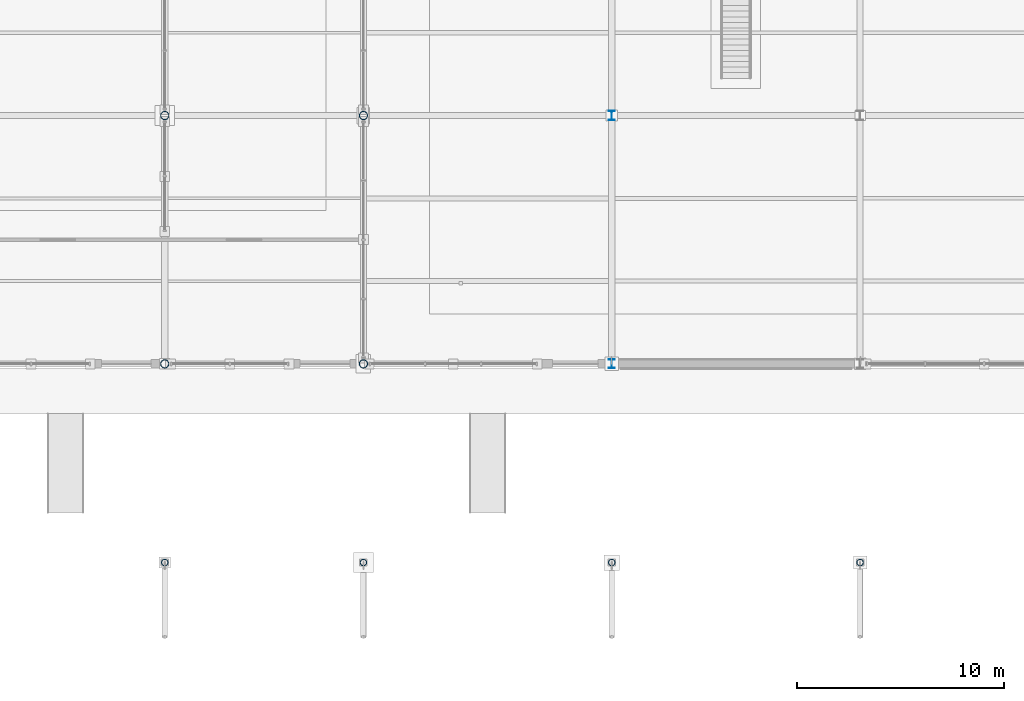
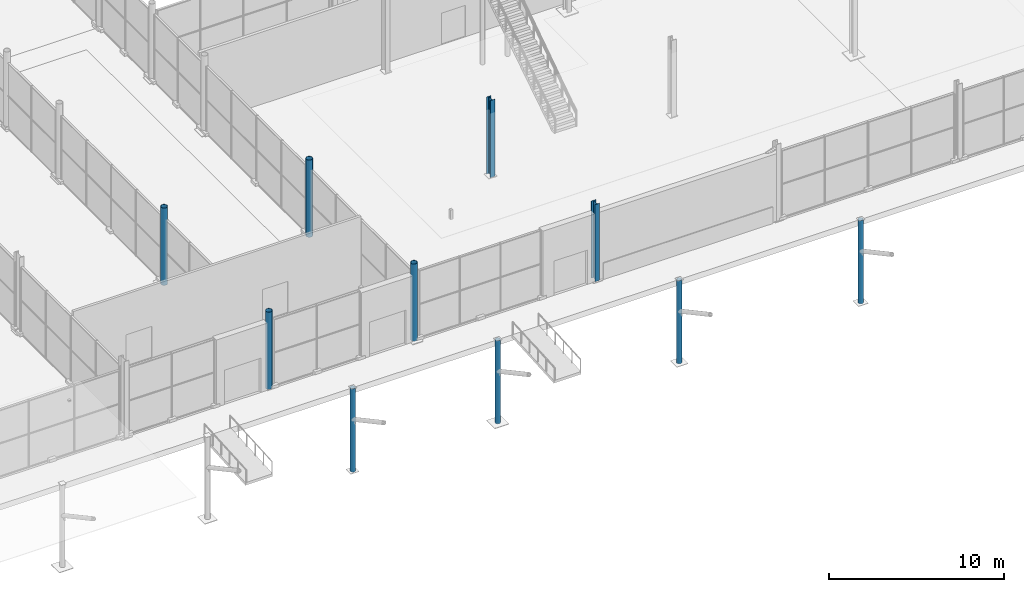
# One storey, part 5 of 196: 10 columns.
"""IFC4 building model written with IfcOpenShell, lengths in metres."""

from ifc_helpers import new_model, si_unit, direction, frame, origin, origin_2d, place, context, subcontext, project, spatial, hollow_circle, i_section, extrude, material, material_profile, profile_set, type_object, element, save


model = new_model("IFC4")

# Units and contexts
model_context = context("Model", 3, precision=1e-05, world=origin(), true_north=direction((0.0, 1.0)))
body_context = subcontext(model_context, "Body", "Model", "MODEL_VIEW")
ifc_project = project(units=[si_unit("LENGTHUNIT", "METRE"), si_unit("AREAUNIT", "SQUARE_METRE"), si_unit("VOLUMEUNIT", "CUBIC_METRE"), si_unit("PLANEANGLEUNIT", "RADIAN"), si_unit("MASSUNIT", "GRAM", prefix="KILO")], contexts=[model_context])

# Site, building, storey
site_placement = place(None, origin())
site = spatial("IfcSite", under=ifc_project, at=site_placement, CompositionType="ELEMENT")
building_placement = place(site_placement, origin())
building = spatial("IfcBuilding", under=site, at=building_placement, Name="Merenkruunu Market Hall", CompositionType="ELEMENT")
storey_placement = place(building_placement, origin())
storey = spatial("IfcBuildingStorey", under=building, at=storey_placement, Name="L00", CompositionType="ELEMENT", Elevation=0.0)

# Columns
ifc_material_1 = material(Name="Steel S355J2", Category="steel")
ifc_material_profile_1 = material_profile(ifc_material_1, i_section(OverallWidth=0.300048828125, OverallDepth=0.43994140625, WebThickness=0.011474609375, FlangeThickness=0.02099609375, FilletRadius=0.027099609375, at=origin_2d()), Name="HEA 450")
ifc_profile_set_1 = profile_set([ifc_material_profile_1], Name="Steel S355J2")
column_type_1 = type_object("IfcColumnType", Name="Structural Column C07", PredefinedType="COLUMN", material=ifc_profile_set_1)
for number, where, z_axis, x_axis, name in (
    (1, (88.800048828125, 15.60009765625, 0.0), (0.0, 0.0, 1.0), (1.0, 0.0, 0.0), "COL-L00-K-03"),
    (2, (88.800048828125, 27.60009765625, 0.0), (0.0, 0.0, 1.0), (1.0, 0.0, 0.0), "COL-L00-K-04"),
):
    element("IfcColumn", number, at=place(storey_placement, frame(where, z_axis=z_axis, x_axis=x_axis)), inside=storey, type_object=column_type_1, Name=name, PredefinedType="COLUMN", context=body_context, shape_type="SweptSolid", body=[
        extrude(i_section(OverallWidth=0.300048828125, OverallDepth=0.43994140625, WebThickness=0.011474609375, FlangeThickness=0.02099609375, FilletRadius=0.027099609375, at=origin_2d()), origin(), (0.0, 0.0, 1.0), 5.39990234375),
    ])
ifc_material_2 = material(Name="Steel S355ML", Category="steel")
ifc_material_profile_2 = material_profile(ifc_material_2, hollow_circle(Radius=0.203125, WallThickness=0.01611328125, at=origin_2d()), Name="CHS 406.4x16")
ifc_profile_set_2 = profile_set([ifc_material_profile_2], Name="Steel S355ML")
column_type_2 = type_object("IfcColumnType", Name="Structural Column C12", PredefinedType="COLUMN", material=ifc_profile_set_2)
for number, where, z_axis, x_axis, name in (
    (3, (67.199951171875, 15.60009765625, 0.0), (0.0, 0.0, 1.0), (1.0, 0.0, 0.0), "COL-L00-H-03"),
    (4, (67.199951171875, 27.60009765625, 0.0), (0.0, 0.0, 1.0), (1.0, 0.0, 0.0), "COL-L00-H-04"),
    (5, (76.800048828125, 15.60009765625, 0.0), (0.0, 0.0, 1.0), (1.0, 0.0, 0.0), "COL-L00-J-03"),
    (6, (76.800048828125, 27.60009765625, 0.0), (0.0, 0.0, 1.0), (1.0, 0.0, 0.0), "COL-L00-J-04"),
):
    element("IfcColumn", number, at=place(storey_placement, frame(where, z_axis=z_axis, x_axis=x_axis)), inside=storey, type_object=column_type_2, Name=name, PredefinedType="COLUMN", context=body_context, shape_type="SweptSolid", body=[
        extrude(hollow_circle(Radius=0.203125, WallThickness=0.01611328125, at=origin_2d()), origin(), (0.0, 0.0, 1.0), 5.39990234375),
    ])
ifc_material_profile_3 = material_profile(ifc_material_2, hollow_circle(Radius=0.161865234375, WallThickness=0.01611328125, at=origin_2d()), Name="CHS 323.9x16")
ifc_profile_set_3 = profile_set([ifc_material_profile_3], Name="Steel S355ML")
column_type_3 = type_object("IfcColumnType", Name="Structural Column C13", PredefinedType="COLUMN", material=ifc_profile_set_3)
for number, where, z_axis, x_axis, name in (
    (7, (67.199951171875, 6.0, 0.0), (0.0, 0.0, 1.0), (1.0, 0.0, 0.0), "COL-L00-H-02"),
    (8, (76.800048828125, 6.0, 0.0), (0.0, 0.0, 1.0), (1.0, 0.0, 0.0), "COL-L00-J-02"),
    (9, (88.800048828125, 6.0, 0.0), (0.0, 0.0, 1.0), (1.0, 0.0, 0.0), "COL-L00-K-02"),
    (10, (100.800048828125, 6.0, 0.0), (0.0, 0.0, 1.0), (1.0, 0.0, 0.0), "COL-L00-L-02"),
):
    element("IfcColumn", number, at=place(storey_placement, frame(where, z_axis=z_axis, x_axis=x_axis)), inside=storey, type_object=column_type_3, Name=name, PredefinedType="COLUMN", context=body_context, shape_type="SweptSolid", body=[
        extrude(hollow_circle(Radius=0.161865234375, WallThickness=0.01611328125, at=origin_2d()), origin(), (0.0, 0.0, 1.0), 5.840087890625),
    ])

save(model, "model.ifc")
